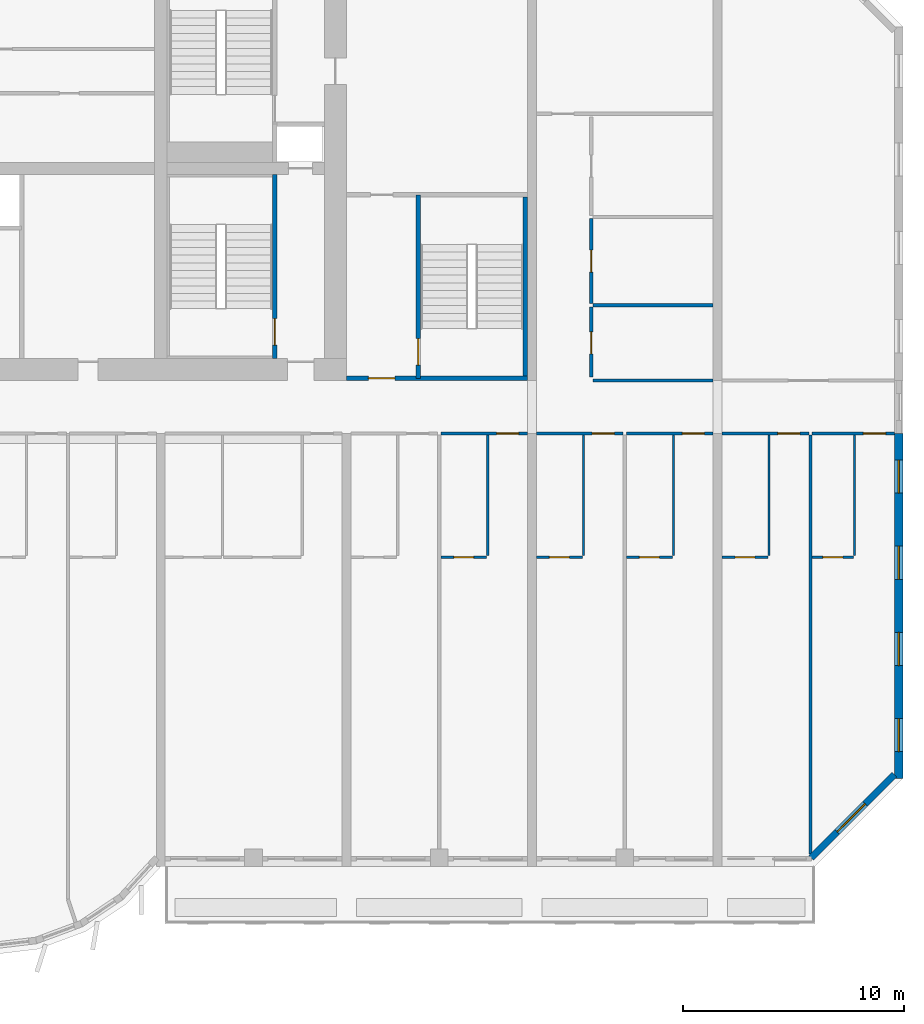
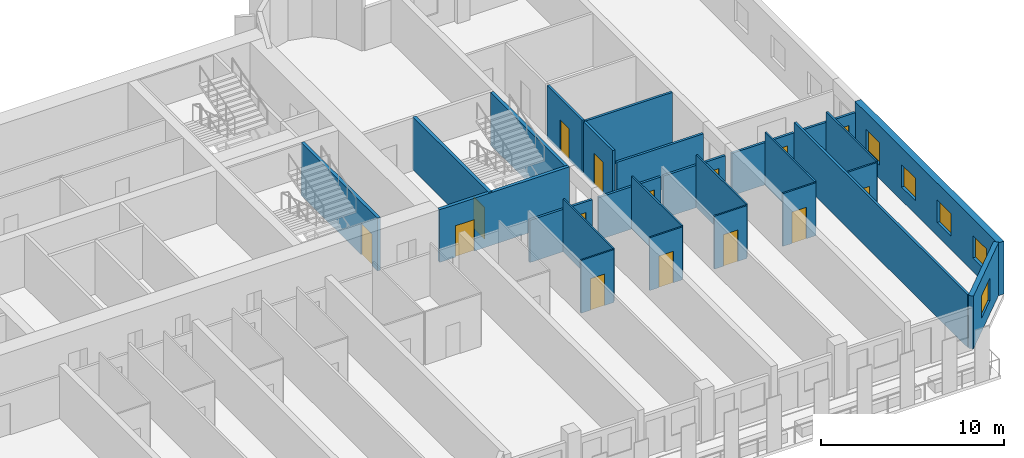
# One storey, part 9 of 14: 26 walls, 15 doors, 5 windows, 20 openings.
"""IFC4 building model written with IfcOpenShell, lengths in metres."""

from ifc_helpers import new_model, si_unit, direction, frame, frame_2d, origin, place, context, subcontext, project, spatial, rectangle, extrude, source, transform, mapped, material, layer, layer_set, type_object, element, fill, save


model = new_model("IFC4")

# Units and contexts
model_context = context("Model", 3, precision=1e-05, world=origin(), true_north=direction((0.0, 1.0)))
body_context = subcontext(model_context, "Body", "Model", "MODEL_VIEW")
ifc_project = project(units=[si_unit("LENGTHUNIT", "METRE"), si_unit("AREAUNIT", "SQUARE_METRE"), si_unit("VOLUMEUNIT", "CUBIC_METRE"), si_unit("PLANEANGLEUNIT", "RADIAN"), si_unit("MASSUNIT", "GRAM", prefix="KILO")], contexts=[model_context])

# Site, building, storey
site_placement = place(None, origin())
site = spatial("IfcSite", under=ifc_project, at=site_placement, CompositionType="ELEMENT")
building_placement = place(site_placement, origin())
building = spatial("IfcBuilding", under=site, at=building_placement, Name="Vanashikhar Sky Hotel", CompositionType="ELEMENT")
storey_placement = place(building_placement, frame((0.0, 0.0, 50.60009765625)))
storey = spatial("IfcBuildingStorey", under=building, at=storey_placement, Name="L11", CompositionType="ELEMENT", Elevation=50.60009765625)

# Wall, openings, windows
ifc_material_1 = material(Name="Concrete M80", Category="concrete")
ifc_layer_1 = layer(ifc_material_1, 0.39990234375)
ifc_layer_set_1 = layer_set([ifc_layer_1], Name="RC shear wall 400 Concrete M80")
wall_type_1 = type_object("IfcWallType", Name="RC shear wall 400 Concrete M80", PredefinedType="SHEAR", material=ifc_layer_set_1)
shared_shape_1 = source(origin(), body_context, "Body", "SweptSolid", [
    extrude(rectangle(XDim=15.60009765625, YDim=0.39990234375, at=frame_2d((7.800048828125, 0.0))), origin(), (0.0, 0.0, 1.0), 3.52001953125),
])
wall_1_placement = place(storey_placement, frame((100.60009765625, 4.0, 0.0), z_axis=(0.0, 0.0, 1.0), x_axis=(0.0, 1.0, 0.0)))
wall_1 = element("IfcWall", 1, at=wall_1_placement, inside=storey, type_object=wall_type_1, Name="CW-L11-XW13-1", PredefinedType="SHEAR", context=body_context, shape_type="MappedRepresentation", body=[
    mapped(shared_shape_1, transform((0.0, 0.0, 0.0), scale=1.0)),
])
shared_shape_2 = source(origin(), body_context, "Body", "SweptSolid", [
    extrude(rectangle(XDim=1.5, YDim=1.5, at=frame_2d((0.75, 0.75))), frame((0.0, 0.2099609375, 0.0), z_axis=(0.0, -1.0, 0.0), x_axis=(1.0, 0.0, 0.0)), (0.0, 0.0, 1.0), 0.419921875),
])
opening_1_placement = place(wall_1_placement, frame((1.199951171875, 0.0, 0.89990234375)))
opening_1 = element("IfcOpeningElement", 2, at=opening_1_placement, cuts=wall_1, Name="Opening WN-1", PredefinedType="OPENING", context=body_context, shape_type="MappedRepresentation", body=[
    mapped(shared_shape_2, transform((0.0, 0.0, 0.0), scale=1.0)),
])
opening_2_placement = place(wall_1_placement, frame((5.10009765625, 0.0, 0.89990234375)))
opening_2 = element("IfcOpeningElement", 3, at=opening_2_placement, cuts=wall_1, Name="Opening WN-1", PredefinedType="OPENING", context=body_context, shape_type="MappedRepresentation", body=[
    mapped(shared_shape_2, transform((0.0, 0.0, 0.0), scale=1.0)),
])
opening_3_placement = place(wall_1_placement, frame((9.0, 0.0, 0.89990234375)))
opening_3 = element("IfcOpeningElement", 4, at=opening_3_placement, cuts=wall_1, Name="Opening WN-1", PredefinedType="OPENING", context=body_context, shape_type="MappedRepresentation", body=[
    mapped(shared_shape_2, transform((0.0, 0.0, 0.0), scale=1.0)),
])
opening_4_placement = place(wall_1_placement, frame((12.89990234375, 0.0, 0.89990234375)))
opening_4 = element("IfcOpeningElement", 5, at=opening_4_placement, cuts=wall_1, Name="Opening WN-1", PredefinedType="OPENING", context=body_context, shape_type="MappedRepresentation", body=[
    mapped(shared_shape_2, transform((0.0, 0.0, 0.0), scale=1.0)),
])
ifc_material_2 = material(Name="Glass", Category="glass")
window_type_1 = type_object("IfcWindowType", Name="Window 1500 x 1500", PartitioningType="SINGLE_PANEL", PredefinedType="WINDOW", material=ifc_material_2)
shared_shape_3 = source(origin(), body_context, "Body", "SweptSolid", [
    extrude(rectangle(XDim=1.5, YDim=1.5, at=frame_2d((0.75, 0.75))), frame((0.0, 0.030029296875, 0.0), z_axis=(0.0, -1.0, 0.0), x_axis=(1.0, 0.0, 0.0)), (0.0, 0.0, 1.0), 0.06005859375),
])
window_1_placement = place(opening_1_placement, origin())
window_1 = element("IfcWindow", 6, at=window_1_placement, inside=storey, type_object=window_type_1, Name="Window WN-1", OverallHeight=1.5, OverallWidth=1.5, PartitioningType="SINGLE_PANEL", PredefinedType="WINDOW", context=body_context, shape_type="MappedRepresentation", body=[
    mapped(shared_shape_3, transform((0.0, 0.0, 0.0), scale=1.0)),
])
fill(opening_1, window_1)
window_2_placement = place(opening_2_placement, origin())
window_2 = element("IfcWindow", 7, at=window_2_placement, inside=storey, type_object=window_type_1, Name="Window WN-1", OverallHeight=1.5, OverallWidth=1.5, PartitioningType="SINGLE_PANEL", PredefinedType="WINDOW", context=body_context, shape_type="MappedRepresentation", body=[
    mapped(shared_shape_3, transform((0.0, 0.0, 0.0), scale=1.0)),
])
fill(opening_2, window_2)
window_3_placement = place(opening_3_placement, origin())
window_3 = element("IfcWindow", 8, at=window_3_placement, inside=storey, type_object=window_type_1, Name="Window WN-1", OverallHeight=1.5, OverallWidth=1.5, PartitioningType="SINGLE_PANEL", PredefinedType="WINDOW", context=body_context, shape_type="MappedRepresentation", body=[
    mapped(shared_shape_3, transform((0.0, 0.0, 0.0), scale=1.0)),
])
fill(opening_3, window_3)
window_4_placement = place(opening_4_placement, origin())
window_4 = element("IfcWindow", 9, at=window_4_placement, inside=storey, type_object=window_type_1, Name="Window WN-1", OverallHeight=1.5, OverallWidth=1.5, PartitioningType="SINGLE_PANEL", PredefinedType="WINDOW", context=body_context, shape_type="MappedRepresentation", body=[
    mapped(shared_shape_3, transform((0.0, 0.0, 0.0), scale=1.0)),
])
fill(opening_4, window_4)

# Wall, opening, window
ifc_material_3 = material(Name="Concrete M50", Category="concrete")
ifc_layer_2 = layer(ifc_material_3, 0.300048828125)
ifc_layer_set_2 = layer_set([ifc_layer_2], Name="Lobe wall 300")
wall_type_2 = type_object("IfcWallType", Name="Lobe wall 300", PredefinedType="SOLIDWALL", material=ifc_layer_set_2)
shared_shape_4 = source(origin(), body_context, "Body", "SweptSolid", [
    extrude(rectangle(XDim=5.32568359375, YDim=0.300048828125, at=frame_2d((2.662841796875, 0.0))), origin(), (0.0, 0.0, 1.0), 3.52001953125),
])
wall_2_placement = place(storey_placement, frame((96.63427734375, 0.39990234375, 0.0), z_axis=(0.0, 0.0, 1.0), x_axis=(0.707083859269, 0.707129702361, 0.0)))
wall_2 = element("IfcWall", 10, at=wall_2_placement, inside=storey, type_object=wall_type_2, Name="Corner wall", PredefinedType="SOLIDWALL", context=body_context, shape_type="MappedRepresentation", body=[
    mapped(shared_shape_4, transform((0.0, 0.0, 0.0), scale=1.0)),
])
shared_shape_5 = source(origin(), body_context, "Body", "SweptSolid", [
    extrude(rectangle(XDim=1.800048828125, YDim=1.5, at=frame_2d((0.89990234375, 0.75))), frame((0.0, 0.16015625, 0.0), z_axis=(0.0, -1.0, 0.0), x_axis=(1.0, 0.0, 0.0)), (0.0, 0.0, 1.0), 0.320068359375),
])
opening_5_placement = place(wall_2_placement, frame((1.654296875, 0.0, 0.89990234375)))
opening_5 = element("IfcOpeningElement", 11, at=opening_5_placement, cuts=wall_2, Name="Opening WN-4", PredefinedType="OPENING", context=body_context, shape_type="MappedRepresentation", body=[
    mapped(shared_shape_5, transform((0.0, 0.0, 0.0), scale=1.0)),
])
window_type_2 = type_object("IfcWindowType", Name="Corner window 1800 x 1500", PartitioningType="SINGLE_PANEL", PredefinedType="WINDOW", material=ifc_material_2)
shared_shape_6 = source(origin(), body_context, "Body", "SweptSolid", [
    extrude(rectangle(XDim=1.800048828125, YDim=1.5, at=frame_2d((0.89990234375, 0.75))), frame((0.0, 0.030029296875, 0.0), z_axis=(0.0, -1.0, 0.0), x_axis=(1.0, 0.0, 0.0)), (0.0, 0.0, 1.0), 0.06005859375),
])
window_5_placement = place(opening_5_placement, origin())
window_5 = element("IfcWindow", 12, at=window_5_placement, inside=storey, type_object=window_type_2, Name="Window WN-4", OverallHeight=1.5, OverallWidth=1.800048828125, PartitioningType="SINGLE_PANEL", PredefinedType="WINDOW", context=body_context, shape_type="MappedRepresentation", body=[
    mapped(shared_shape_6, transform((0.0, 0.0, 0.0), scale=1.0)),
])
fill(opening_5, window_5)

# Wall, opening, door
ifc_layer_3 = layer(ifc_material_3, 0.199951171875)
ifc_layer_set_3 = layer_set([ifc_layer_3], Name="Stair wall 200")
wall_type_3 = type_object("IfcWallType", Name="Stair wall 200", PredefinedType="SOLIDWALL", material=ifc_layer_set_3)
shared_shape_7 = source(origin(), body_context, "Body", "SweptSolid", [
    extrude(rectangle(XDim=8.199951171875, YDim=0.199951171875, at=frame_2d((4.10009765625, 0.0))), origin(), (0.0, 0.0, 1.0), 3.52001953125),
])
wall_3_placement = place(storey_placement, frame((83.800048828125, 22.10009765625, 0.0), z_axis=(0.0, 0.0, 1.0), x_axis=(-1.0, 0.0, 0.0)))
wall_3 = element("IfcWall", 13, at=wall_3_placement, inside=storey, type_object=wall_type_3, Name="Stair wall 200", PredefinedType="SOLIDWALL", context=body_context, shape_type="MappedRepresentation", body=[
    mapped(shared_shape_7, transform((0.0, 0.0, 0.0), scale=1.0)),
])
shared_shape_8 = source(origin(), body_context, "Body", "SweptSolid", [
    extrude(rectangle(XDim=1.199951171875, YDim=2.10009765625, at=frame_2d((0.60009765625, 1.050048828125))), frame((0.0, 0.10986328125, 0.0), z_axis=(0.0, -1.0, 0.0), x_axis=(1.0, 0.0, 0.0)), (0.0, 0.0, 1.0), 0.219970703125),
])
opening_6_placement = place(wall_3_placement, frame((6.0, 0.0, 0.0)))
opening_6 = element("IfcOpeningElement", 14, at=opening_6_placement, cuts=wall_3, Name="Opening DC-2", PredefinedType="OPENING", context=body_context, shape_type="MappedRepresentation", body=[
    mapped(shared_shape_8, transform((0.0, 0.0, 0.0), scale=1.0)),
])
ifc_material_4 = material(Name="Steel", Category="steel")
door_type_1 = type_object("IfcDoorType", Name="Firefighting lobby door 1200 FD120", OperationType="NOTDEFINED", PredefinedType="DOOR", material=ifc_material_4)
shared_shape_9 = source(origin(), body_context, "Body", "SweptSolid", [
    extrude(rectangle(XDim=1.199951171875, YDim=2.10009765625, at=frame_2d((0.60009765625, 1.050048828125))), frame((0.0, 0.02490234375, 0.0), z_axis=(0.0, -1.0, 0.0), x_axis=(1.0, 0.0, 0.0)), (0.0, 0.0, 1.0), 0.050048828125),
])
door_1_placement = place(opening_6_placement, origin())
door_1 = element("IfcDoor", 15, at=door_1_placement, inside=storey, type_object=door_type_1, Name="Firefighting lobby door 1200 FD120", OperationType="SINGLE_SWING_LEFT", OverallHeight=2.10009765625, OverallWidth=1.199951171875, PredefinedType="DOOR", context=body_context, shape_type="MappedRepresentation", body=[
    mapped(shared_shape_9, transform((0.0, 0.0, 0.0), scale=1.0)),
])
fill(opening_6, door_1)

shared_shape_10 = source(origin(), body_context, "Body", "SweptSolid", [
    extrude(rectangle(XDim=8.2998046875, YDim=0.199951171875, at=frame_2d((4.14990234375, 0.0))), origin(), (0.0, 0.0, 1.0), 3.52001953125),
])
wall_4_placement = place(storey_placement, frame((78.85009765625, 22.10009765625, 0.0), z_axis=(0.0, 0.0, 1.0), x_axis=(0.0, 1.0, 0.0)))
wall_4 = element("IfcWall", 16, at=wall_4_placement, inside=storey, type_object=wall_type_3, Name="Stair wall 200", PredefinedType="SOLIDWALL", context=body_context, shape_type="MappedRepresentation", body=[
    mapped(shared_shape_10, transform((0.0, 0.0, 0.0), scale=1.0)),
])
opening_7_placement = place(wall_4_placement, frame((0.60009765625, 0.0, 0.0)))
opening_7 = element("IfcOpeningElement", 17, at=opening_7_placement, cuts=wall_4, Name="Opening DC-1", PredefinedType="OPENING", context=body_context, shape_type="MappedRepresentation", body=[
    mapped(shared_shape_8, transform((0.0, 0.0, 0.0), scale=1.0)),
])
door_type_2 = type_object("IfcDoorType", Name="Stair door 1200 FD120", OperationType="NOTDEFINED", PredefinedType="DOOR", material=ifc_material_4)
door_2_placement = place(opening_7_placement, origin())
door_2 = element("IfcDoor", 18, at=door_2_placement, inside=storey, type_object=door_type_2, Name="Stair door 1200 FD120", OperationType="SINGLE_SWING_RIGHT", OverallHeight=2.10009765625, OverallWidth=1.199951171875, PredefinedType="DOOR", context=body_context, shape_type="MappedRepresentation", body=[
    mapped(shared_shape_9, transform((0.0, 0.0, 0.0), scale=1.0)),
])
fill(opening_7, door_2)

shared_shape_11 = source(origin(), body_context, "Body", "SweptSolid", [
    extrude(rectangle(XDim=8.324951171875, YDim=0.199951171875, at=frame_2d((4.16259765625, 0.0))), origin(), (0.0, 0.0, 1.0), 3.52001953125),
])
wall_5_placement = place(storey_placement, frame((72.35009765625, 23.0, 0.0), z_axis=(0.0, 0.0, 1.0), x_axis=(0.0, 1.0, 0.0)))
wall_5 = element("IfcWall", 19, at=wall_5_placement, inside=storey, type_object=wall_type_3, Name="Stair wall 200", PredefinedType="SOLIDWALL", context=body_context, shape_type="MappedRepresentation", body=[
    mapped(shared_shape_11, transform((0.0, 0.0, 0.0), scale=1.0)),
])
opening_8_placement = place(wall_5_placement, frame((0.60009765625, 0.0, 0.0)))
opening_8 = element("IfcOpeningElement", 20, at=opening_8_placement, cuts=wall_5, Name="Opening DC-1", PredefinedType="OPENING", context=body_context, shape_type="MappedRepresentation", body=[
    mapped(shared_shape_8, transform((0.0, 0.0, 0.0), scale=1.0)),
])
door_3_placement = place(opening_8_placement, origin())
door_3 = element("IfcDoor", 21, at=door_3_placement, inside=storey, type_object=door_type_2, Name="Stair door 1200 FD120", OperationType="SINGLE_SWING_LEFT", OverallHeight=2.10009765625, OverallWidth=1.199951171875, PredefinedType="DOOR", context=body_context, shape_type="MappedRepresentation", body=[
    mapped(shared_shape_9, transform((0.0, 0.0, 0.0), scale=1.0)),
])
fill(opening_8, door_3)

# Walls
ifc_layer_4 = layer(ifc_material_3, 0.199951171875)
ifc_layer_set_4 = layer_set([ifc_layer_4], Name="Stair infill wall 200")
wall_type_4 = type_object("IfcWallType", Name="Stair infill wall 200", PredefinedType="SOLIDWALL", material=ifc_layer_set_4)
shared_shape_12 = source(origin(), body_context, "Body", "SweptSolid", [
    extrude(rectangle(XDim=8.10009765625, YDim=0.199951171875, at=frame_2d((4.050048828125, 0.0))), origin(), (0.0, 0.0, 1.0), 3.52001953125),
])
wall_6_placement = place(storey_placement, frame((83.699951171875, 22.199951171875, 0.0), z_axis=(0.0, 0.0, 1.0), x_axis=(0.0, 1.0, 0.0)))
element("IfcWall", 22, at=wall_6_placement, inside=storey, type_object=wall_type_4, Name="Stair infill wall 200", PredefinedType="SOLIDWALL", context=body_context, shape_type="MappedRepresentation", body=[
    mapped(shared_shape_12, transform((0.0, 0.0, 0.0), scale=1.0)),
])
ifc_material_5 = material(Name="Gypsum plasterboard partition")
ifc_layer_5 = layer(ifc_material_5, 0.14990234375)
ifc_layer_set_5 = layer_set([ifc_layer_5], Name="Corridor and demising partition 150")
wall_type_5 = type_object("IfcWallType", Name="Corridor and demising partition 150", PredefinedType="PARTITIONING", material=ifc_layer_set_5)
shared_shape_13 = source(origin(), body_context, "Body", "SweptSolid", [
    extrude(rectangle(XDim=18.947021484375, YDim=0.14990234375, at=frame_2d((9.4736328125, 0.0))), origin(), (0.0, 0.0, 1.0), 3.52001953125),
])
wall_7_placement = place(storey_placement, frame((96.60009765625, 0.577880859375, 0.0), z_axis=(0.0, 0.0, 1.0), x_axis=(0.0, 1.0, 0.0)))
element("IfcWall", 23, at=wall_7_placement, inside=storey, type_object=wall_type_5, Name="W-L11-PW070", PredefinedType="PARTITIONING", context=body_context, shape_type="MappedRepresentation", body=[
    mapped(shared_shape_13, transform((0.0, 0.0, 0.0), scale=1.0)),
])

# Wall, opening, door
shared_shape_14 = source(origin(), body_context, "Body", "SweptSolid", [
    extrude(rectangle(XDim=3.175048828125, YDim=0.14990234375, at=frame_2d((1.58740234375, 0.0))), origin(), (0.0, 0.0, 1.0), 3.52001953125),
])
wall_8_placement = place(storey_placement, frame((86.675048828125, 22.14990234375, 0.0), z_axis=(0.0, 0.0, 1.0), x_axis=(0.0, 1.0, 0.0)))
wall_8 = element("IfcWall", 24, at=wall_8_placement, inside=storey, type_object=wall_type_5, Name="W-L11-PW086", PredefinedType="PARTITIONING", context=body_context, shape_type="MappedRepresentation", body=[
    mapped(shared_shape_14, transform((0.0, 0.0, 0.0), scale=1.0)),
])
shared_shape_15 = source(origin(), body_context, "Body", "SweptSolid", [
    extrude(rectangle(XDim=1.0, YDim=2.10009765625, at=frame_2d((0.5, 1.050048828125))), frame((0.0, 0.0849609375, 0.0), z_axis=(0.0, -1.0, 0.0), x_axis=(1.0, 0.0, 0.0)), (0.0, 0.0, 1.0), 0.169921875),
])
opening_9_placement = place(wall_8_placement, frame((1.050048828125, 0.0, 0.0)))
opening_9 = element("IfcOpeningElement", 25, at=opening_9_placement, cuts=wall_8, Name="Opening D-01", PredefinedType="OPENING", context=body_context, shape_type="MappedRepresentation", body=[
    mapped(shared_shape_15, transform((0.0, 0.0, 0.0), scale=1.0)),
])
ifc_material_6 = material(Name="Timber fire door", Category="wood")
door_type_3 = type_object("IfcDoorType", Name="Guest entry door 1000 FD30S", OperationType="NOTDEFINED", PredefinedType="DOOR", material=ifc_material_6)
shared_shape_16 = source(origin(), body_context, "Body", "SweptSolid", [
    extrude(rectangle(XDim=1.0, YDim=2.10009765625, at=frame_2d((0.5, 1.050048828125))), frame((0.0, 0.02490234375, 0.0), z_axis=(0.0, -1.0, 0.0), x_axis=(1.0, 0.0, 0.0)), (0.0, 0.0, 1.0), 0.050048828125),
])
door_4_placement = place(opening_9_placement, origin())
door_4 = element("IfcDoor", 26, at=door_4_placement, inside=storey, type_object=door_type_3, Name="D-L11-049", OperationType="SINGLE_SWING_LEFT", OverallHeight=2.10009765625, OverallWidth=1.0, PredefinedType="DOOR", context=body_context, shape_type="MappedRepresentation", body=[
    mapped(shared_shape_16, transform((0.0, 0.0, 0.0), scale=1.0)),
])
fill(opening_9, door_4)

shared_shape_17 = source(origin(), body_context, "Body", "SweptSolid", [
    extrude(rectangle(XDim=3.849853515625, YDim=0.14990234375, at=frame_2d((1.9248046875, 0.0))), origin(), (0.0, 0.0, 1.0), 3.52001953125),
])
wall_9_placement = place(storey_placement, frame((86.675048828125, 25.47509765625, 0.0), z_axis=(0.0, 0.0, 1.0), x_axis=(0.0, 1.0, 0.0)))
wall_9 = element("IfcWall", 27, at=wall_9_placement, inside=storey, type_object=wall_type_5, Name="W-L11-PW088", PredefinedType="PARTITIONING", context=body_context, shape_type="MappedRepresentation", body=[
    mapped(shared_shape_17, transform((0.0, 0.0, 0.0), scale=1.0)),
])
opening_10_placement = place(wall_9_placement, frame((1.425048828125, 0.0, 0.0)))
opening_10 = element("IfcOpeningElement", 28, at=opening_10_placement, cuts=wall_9, Name="Opening D-01", PredefinedType="OPENING", context=body_context, shape_type="MappedRepresentation", body=[
    mapped(shared_shape_15, transform((0.0, 0.0, 0.0), scale=1.0)),
])
door_5_placement = place(opening_10_placement, origin())
door_5 = element("IfcDoor", 29, at=door_5_placement, inside=storey, type_object=door_type_3, Name="D-L11-050", OperationType="SINGLE_SWING_LEFT", OverallHeight=2.10009765625, OverallWidth=1.0, PredefinedType="DOOR", context=body_context, shape_type="MappedRepresentation", body=[
    mapped(shared_shape_16, transform((0.0, 0.0, 0.0), scale=1.0)),
])
fill(opening_10, door_5)

ifc_layer_6 = layer(ifc_material_5, 0.10009765625)
ifc_layer_set_6 = layer_set([ifc_layer_6], Name="Wet room partition 100")
wall_type_6 = type_object("IfcWallType", Name="Wet room partition 100", PredefinedType="PARTITIONING", material=ifc_layer_set_6)
shared_shape_18 = source(origin(), body_context, "Body", "SweptSolid", [
    extrude(rectangle(XDim=2.074951171875, YDim=0.10009765625, at=frame_2d((1.03759765625, 0.0))), origin(), (0.0, 0.0, 1.0), 3.52001953125),
])
wall_10_placement = place(storey_placement, frame((79.875, 14.0, 0.0), z_axis=(0.0, 0.0, 1.0), x_axis=(1.0, 0.0, 0.0)))
wall_10 = element("IfcWall", 30, at=wall_10_placement, inside=storey, type_object=wall_type_6, Name="W-L11-PW054", PredefinedType="PARTITIONING", context=body_context, shape_type="MappedRepresentation", body=[
    mapped(shared_shape_18, transform((0.0, 0.0, 0.0), scale=1.0)),
])
shared_shape_19 = source(origin(), body_context, "Body", "SweptSolid", [
    extrude(rectangle(XDim=0.89990234375, YDim=2.10009765625, at=frame_2d((0.449951171875, 1.050048828125))), frame((0.0, 0.06005859375, 0.0), z_axis=(0.0, -1.0, 0.0), x_axis=(1.0, 0.0, 0.0)), (0.0, 0.0, 1.0), 0.1201171875),
])
opening_11_placement = place(wall_10_placement, frame((0.5869140625, 0.0, 0.0)))
opening_11 = element("IfcOpeningElement", 31, at=opening_11_placement, cuts=wall_10, Name="Opening D-02", PredefinedType="OPENING", context=body_context, shape_type="MappedRepresentation", body=[
    mapped(shared_shape_19, transform((0.0, 0.0, 0.0), scale=1.0)),
])
ifc_material_7 = material(Name="Timber door", Category="wood")
door_type_4 = type_object("IfcDoorType", Name="Internal door 900", OperationType="NOTDEFINED", PredefinedType="DOOR", material=ifc_material_7)
shared_shape_20 = source(origin(), body_context, "Body", "SweptSolid", [
    extrude(rectangle(XDim=0.89990234375, YDim=2.10009765625, at=frame_2d((0.449951171875, 1.050048828125))), frame((0.0, 0.02490234375, 0.0), z_axis=(0.0, -1.0, 0.0), x_axis=(1.0, 0.0, 0.0)), (0.0, 0.0, 1.0), 0.050048828125),
])
door_6_placement = place(opening_11_placement, origin())
door_6 = element("IfcDoor", 32, at=door_6_placement, inside=storey, type_object=door_type_4, Name="D-L11-032", OperationType="SINGLE_SWING_RIGHT", OverallHeight=2.10009765625, OverallWidth=0.89990234375, PredefinedType="DOOR", context=body_context, shape_type="MappedRepresentation", body=[
    mapped(shared_shape_20, transform((0.0, 0.0, 0.0), scale=1.0)),
])
fill(opening_11, door_6)

wall_11_placement = place(storey_placement, frame((84.199951171875, 14.0, 0.0), z_axis=(0.0, 0.0, 1.0), x_axis=(1.0, 0.0, 0.0)))
wall_11 = element("IfcWall", 33, at=wall_11_placement, inside=storey, type_object=wall_type_6, Name="W-L11-PW058", PredefinedType="PARTITIONING", context=body_context, shape_type="MappedRepresentation", body=[
    mapped(shared_shape_18, transform((0.0, 0.0, 0.0), scale=1.0)),
])
opening_12_placement = place(wall_11_placement, frame((0.587890625, 0.0, 0.0)))
opening_12 = element("IfcOpeningElement", 34, at=opening_12_placement, cuts=wall_11, Name="Opening D-02", PredefinedType="OPENING", context=body_context, shape_type="MappedRepresentation", body=[
    mapped(shared_shape_19, transform((0.0, 0.0, 0.0), scale=1.0)),
])
door_7_placement = place(opening_12_placement, origin())
door_7 = element("IfcDoor", 35, at=door_7_placement, inside=storey, type_object=door_type_4, Name="D-L11-034", OperationType="SINGLE_SWING_RIGHT", OverallHeight=2.10009765625, OverallWidth=0.89990234375, PredefinedType="DOOR", context=body_context, shape_type="MappedRepresentation", body=[
    mapped(shared_shape_20, transform((0.0, 0.0, 0.0), scale=1.0)),
])
fill(opening_12, door_7)

wall_12_placement = place(storey_placement, frame((92.60009765625, 14.0, 0.0), z_axis=(0.0, 0.0, 1.0), x_axis=(1.0, 0.0, 0.0)))
wall_12 = element("IfcWall", 36, at=wall_12_placement, inside=storey, type_object=wall_type_6, Name="W-L11-PW065", PredefinedType="PARTITIONING", context=body_context, shape_type="MappedRepresentation", body=[
    mapped(shared_shape_18, transform((0.0, 0.0, 0.0), scale=1.0)),
])
opening_13_placement = place(wall_12_placement, frame((0.5869140625, 0.0, 0.0)))
opening_13 = element("IfcOpeningElement", 37, at=opening_13_placement, cuts=wall_12, Name="Opening D-02", PredefinedType="OPENING", context=body_context, shape_type="MappedRepresentation", body=[
    mapped(shared_shape_19, transform((0.0, 0.0, 0.0), scale=1.0)),
])
door_8_placement = place(opening_13_placement, origin())
door_8 = element("IfcDoor", 38, at=door_8_placement, inside=storey, type_object=door_type_4, Name="D-L11-038", OperationType="SINGLE_SWING_RIGHT", OverallHeight=2.10009765625, OverallWidth=0.89990234375, PredefinedType="DOOR", context=body_context, shape_type="MappedRepresentation", body=[
    mapped(shared_shape_20, transform((0.0, 0.0, 0.0), scale=1.0)),
])
fill(opening_13, door_8)

# Wall
shared_shape_21 = source(origin(), body_context, "Body", "SweptSolid", [
    extrude(rectangle(XDim=5.449951171875, YDim=0.14990234375, at=frame_2d((2.72509765625, 0.0))), origin(), (0.0, 0.0, 1.0), 3.52001953125),
])
wall_13_placement = place(storey_placement, frame((86.75, 25.39990234375, 0.0), z_axis=(0.0, 0.0, 1.0), x_axis=(1.0, 0.0, 0.0)))
element("IfcWall", 39, at=wall_13_placement, inside=storey, type_object=wall_type_5, Name="W-L11-PW087", PredefinedType="PARTITIONING", context=body_context, shape_type="MappedRepresentation", body=[
    mapped(shared_shape_21, transform((0.0, 0.0, 0.0), scale=1.0)),
])

# Wall, opening, door
shared_shape_22 = source(origin(), body_context, "Body", "SweptSolid", [
    extrude(rectangle(XDim=1.875, YDim=0.10009765625, at=frame_2d((0.9375, 0.0))), origin(), (0.0, 0.0, 1.0), 3.52001953125),
])
wall_14_placement = place(storey_placement, frame((96.675048828125, 14.0, 0.0), z_axis=(0.0, 0.0, 1.0), x_axis=(1.0, 0.0, 0.0)))
wall_14 = element("IfcWall", 40, at=wall_14_placement, inside=storey, type_object=wall_type_6, Name="W-L11-PW068", PredefinedType="PARTITIONING", context=body_context, shape_type="MappedRepresentation", body=[
    mapped(shared_shape_22, transform((0.0, 0.0, 0.0), scale=1.0)),
])
opening_14_placement = place(wall_14_placement, frame((0.488037109375, 0.0, 0.0)))
opening_14 = element("IfcOpeningElement", 41, at=opening_14_placement, cuts=wall_14, Name="Opening D-02", PredefinedType="OPENING", context=body_context, shape_type="MappedRepresentation", body=[
    mapped(shared_shape_19, transform((0.0, 0.0, 0.0), scale=1.0)),
])
door_9_placement = place(opening_14_placement, origin())
door_9 = element("IfcDoor", 42, at=door_9_placement, inside=storey, type_object=door_type_4, Name="D-L11-040", OperationType="SINGLE_SWING_RIGHT", OverallHeight=2.10009765625, OverallWidth=0.89990234375, PredefinedType="DOOR", context=body_context, shape_type="MappedRepresentation", body=[
    mapped(shared_shape_20, transform((0.0, 0.0, 0.0), scale=1.0)),
])
fill(opening_14, door_9)

# Walls
shared_shape_23 = source(origin(), body_context, "Body", "SweptSolid", [
    extrude(rectangle(XDim=5.449951171875, YDim=0.10009765625, at=frame_2d((2.72509765625, 0.0))), origin(), (0.0, 0.0, 1.0), 3.52001953125),
])
for number, where, z_axis, x_axis, name in (
    (43, (82.0, 14.074951171875, 0.0), (0.0, 0.0, 1.0), (0.0, 1.0, 0.0), "W-L11-PW053"),
    (44, (86.324951171875, 14.074951171875, 0.0), (0.0, 0.0, 1.0), (0.0, 1.0, 0.0), "W-L11-PW057"),
    (45, (90.39990234375, 14.074951171875, 0.0), (0.0, 0.0, 1.0), (0.0, 1.0, 0.0), "W-L11-PW060"),
    (46, (94.72509765625, 14.074951171875, 0.0), (0.0, 0.0, 1.0), (0.0, 1.0, 0.0), "W-L11-PW064"),
    (47, (98.60009765625, 14.074951171875, 0.0), (0.0, 0.0, 1.0), (0.0, 1.0, 0.0), "W-L11-PW067"),
):
    element("IfcWall", number, at=place(storey_placement, frame(where, z_axis=z_axis, x_axis=x_axis)), inside=storey, type_object=wall_type_6, Name=name, PredefinedType="PARTITIONING", context=body_context, shape_type="MappedRepresentation", body=[
        mapped(shared_shape_23, transform((0.0, 0.0, 0.0), scale=1.0)),
    ])

# Wall, opening, door
shared_shape_24 = source(origin(), body_context, "Body", "SweptSolid", [
    extrude(rectangle(XDim=3.925048828125, YDim=0.14990234375, at=frame_2d((1.96240234375, 0.0))), origin(), (0.0, 0.0, 1.0), 2.81982421875),
])
wall_15_placement = place(storey_placement, frame((79.875, 19.60009765625, 0.0), z_axis=(0.0, 0.0, 1.0), x_axis=(1.0, 0.0, 0.0)))
wall_15 = element("IfcWall", 48, at=wall_15_placement, inside=storey, type_object=wall_type_5, Name="W-L11-PW055", PredefinedType="PARTITIONING", context=body_context, shape_type="MappedRepresentation", body=[
    mapped(shared_shape_24, transform((0.0, 0.0, 0.0), scale=1.0)),
])
opening_15_placement = place(wall_15_placement, frame((2.52490234375, 0.0, 0.0)))
opening_15 = element("IfcOpeningElement", 49, at=opening_15_placement, cuts=wall_15, Name="Opening D-01", PredefinedType="OPENING", context=body_context, shape_type="MappedRepresentation", body=[
    mapped(shared_shape_15, transform((0.0, 0.0, 0.0), scale=1.0)),
])
door_10_placement = place(opening_15_placement, origin())
door_10 = element("IfcDoor", 50, at=door_10_placement, inside=storey, type_object=door_type_3, Name="D-L11-033", OperationType="SINGLE_SWING_RIGHT", OverallHeight=2.10009765625, OverallWidth=1.0, PredefinedType="DOOR", context=body_context, shape_type="MappedRepresentation", body=[
    mapped(shared_shape_16, transform((0.0, 0.0, 0.0), scale=1.0)),
])
fill(opening_15, door_10)

wall_16_placement = place(storey_placement, frame((84.199951171875, 19.60009765625, 0.0), z_axis=(0.0, 0.0, 1.0), x_axis=(1.0, 0.0, 0.0)))
wall_16 = element("IfcWall", 51, at=wall_16_placement, inside=storey, type_object=wall_type_5, Name="W-L11-PW059", PredefinedType="PARTITIONING", context=body_context, shape_type="MappedRepresentation", body=[
    mapped(shared_shape_24, transform((0.0, 0.0, 0.0), scale=1.0)),
])
opening_16_placement = place(wall_16_placement, frame((2.52490234375, 0.0, 0.0)))
opening_16 = element("IfcOpeningElement", 52, at=opening_16_placement, cuts=wall_16, Name="Opening D-01", PredefinedType="OPENING", context=body_context, shape_type="MappedRepresentation", body=[
    mapped(shared_shape_15, transform((0.0, 0.0, 0.0), scale=1.0)),
])
door_11_placement = place(opening_16_placement, origin())
door_11 = element("IfcDoor", 53, at=door_11_placement, inside=storey, type_object=door_type_3, Name="D-L11-035", OperationType="SINGLE_SWING_RIGHT", OverallHeight=2.10009765625, OverallWidth=1.0, PredefinedType="DOOR", context=body_context, shape_type="MappedRepresentation", body=[
    mapped(shared_shape_16, transform((0.0, 0.0, 0.0), scale=1.0)),
])
fill(opening_16, door_11)

wall_17_placement = place(storey_placement, frame((88.27490234375, 19.60009765625, 0.0), z_axis=(0.0, 0.0, 1.0), x_axis=(1.0, 0.0, 0.0)))
wall_17 = element("IfcWall", 54, at=wall_17_placement, inside=storey, type_object=wall_type_5, Name="W-L11-PW062", PredefinedType="PARTITIONING", context=body_context, shape_type="MappedRepresentation", body=[
    mapped(shared_shape_24, transform((0.0, 0.0, 0.0), scale=1.0)),
])
opening_17_placement = place(wall_17_placement, frame((2.52490234375, 0.0, 0.0)))
opening_17 = element("IfcOpeningElement", 55, at=opening_17_placement, cuts=wall_17, Name="Opening D-01", PredefinedType="OPENING", context=body_context, shape_type="MappedRepresentation", body=[
    mapped(shared_shape_15, transform((0.0, 0.0, 0.0), scale=1.0)),
])
door_12_placement = place(opening_17_placement, origin())
door_12 = element("IfcDoor", 56, at=door_12_placement, inside=storey, type_object=door_type_3, Name="D-L11-037", OperationType="SINGLE_SWING_RIGHT", OverallHeight=2.10009765625, OverallWidth=1.0, PredefinedType="DOOR", context=body_context, shape_type="MappedRepresentation", body=[
    mapped(shared_shape_16, transform((0.0, 0.0, 0.0), scale=1.0)),
])
fill(opening_17, door_12)

shared_shape_25 = source(origin(), body_context, "Body", "SweptSolid", [
    extrude(rectangle(XDim=3.9248046875, YDim=0.14990234375, at=frame_2d((1.96240234375, 0.0))), origin(), (0.0, 0.0, 1.0), 2.81982421875),
])
wall_18_placement = place(storey_placement, frame((92.60009765625, 19.60009765625, 0.0), z_axis=(0.0, 0.0, 1.0), x_axis=(1.0, 0.0, 0.0)))
wall_18 = element("IfcWall", 57, at=wall_18_placement, inside=storey, type_object=wall_type_5, Name="W-L11-PW066", PredefinedType="PARTITIONING", context=body_context, shape_type="MappedRepresentation", body=[
    mapped(shared_shape_25, transform((0.0, 0.0, 0.0), scale=1.0)),
])
opening_18_placement = place(wall_18_placement, frame((2.52490234375, 0.0, 0.0)))
opening_18 = element("IfcOpeningElement", 58, at=opening_18_placement, cuts=wall_18, Name="Opening D-01", PredefinedType="OPENING", context=body_context, shape_type="MappedRepresentation", body=[
    mapped(shared_shape_15, transform((0.0, 0.0, 0.0), scale=1.0)),
])
door_13_placement = place(opening_18_placement, origin())
door_13 = element("IfcDoor", 59, at=door_13_placement, inside=storey, type_object=door_type_3, Name="D-L11-039", OperationType="SINGLE_SWING_RIGHT", OverallHeight=2.10009765625, OverallWidth=1.0, PredefinedType="DOOR", context=body_context, shape_type="MappedRepresentation", body=[
    mapped(shared_shape_16, transform((0.0, 0.0, 0.0), scale=1.0)),
])
fill(opening_18, door_13)

shared_shape_26 = source(origin(), body_context, "Body", "SweptSolid", [
    extrude(rectangle(XDim=2.0751953125, YDim=0.10009765625, at=frame_2d((1.03759765625, 0.0))), origin(), (0.0, 0.0, 1.0), 3.52001953125),
])
wall_19_placement = place(storey_placement, frame((88.27490234375, 14.0, 0.0), z_axis=(0.0, 0.0, 1.0), x_axis=(1.0, 0.0, 0.0)))
wall_19 = element("IfcWall", 60, at=wall_19_placement, inside=storey, type_object=wall_type_6, Name="W-L11-PW061", PredefinedType="PARTITIONING", context=body_context, shape_type="MappedRepresentation", body=[
    mapped(shared_shape_26, transform((0.0, 0.0, 0.0), scale=1.0)),
])
opening_19_placement = place(wall_19_placement, frame((0.5869140625, 0.0, 0.0)))
opening_19 = element("IfcOpeningElement", 61, at=opening_19_placement, cuts=wall_19, Name="Opening D-02", PredefinedType="OPENING", context=body_context, shape_type="MappedRepresentation", body=[
    mapped(shared_shape_19, transform((0.0, 0.0, 0.0), scale=1.0)),
])
door_14_placement = place(opening_19_placement, origin())
door_14 = element("IfcDoor", 62, at=door_14_placement, inside=storey, type_object=door_type_4, Name="D-L11-036", OperationType="SINGLE_SWING_RIGHT", OverallHeight=2.10009765625, OverallWidth=0.89990234375, PredefinedType="DOOR", context=body_context, shape_type="MappedRepresentation", body=[
    mapped(shared_shape_20, transform((0.0, 0.0, 0.0), scale=1.0)),
])
fill(opening_19, door_14)

shared_shape_27 = source(origin(), body_context, "Body", "SweptSolid", [
    extrude(rectangle(XDim=3.724853515625, YDim=0.14990234375, at=frame_2d((1.8623046875, 0.0))), origin(), (0.0, 0.0, 1.0), 2.81982421875),
])
wall_20_placement = place(storey_placement, frame((96.675048828125, 19.60009765625, 0.0), z_axis=(0.0, 0.0, 1.0), x_axis=(1.0, 0.0, 0.0)))
wall_20 = element("IfcWall", 63, at=wall_20_placement, inside=storey, type_object=wall_type_5, Name="W-L11-PW069", PredefinedType="PARTITIONING", context=body_context, shape_type="MappedRepresentation", body=[
    mapped(shared_shape_27, transform((0.0, 0.0, 0.0), scale=1.0)),
])
opening_20_placement = place(wall_20_placement, frame((2.324951171875, 0.0, 0.0)))
opening_20 = element("IfcOpeningElement", 64, at=opening_20_placement, cuts=wall_20, Name="Opening D-01", PredefinedType="OPENING", context=body_context, shape_type="MappedRepresentation", body=[
    mapped(shared_shape_15, transform((0.0, 0.0, 0.0), scale=1.0)),
])
door_15_placement = place(opening_20_placement, origin())
door_15 = element("IfcDoor", 65, at=door_15_placement, inside=storey, type_object=door_type_3, Name="D-L11-041", OperationType="SINGLE_SWING_RIGHT", OverallHeight=2.10009765625, OverallWidth=1.0, PredefinedType="DOOR", context=body_context, shape_type="MappedRepresentation", body=[
    mapped(shared_shape_16, transform((0.0, 0.0, 0.0), scale=1.0)),
])
fill(opening_20, door_15)

# Wall
shared_shape_28 = source(origin(), body_context, "Body", "SweptSolid", [
    extrude(rectangle(XDim=5.449951171875, YDim=0.14990234375, at=frame_2d((2.72509765625, 0.0))), origin(), (0.0, 0.0, 1.0), 2.81982421875),
])
wall_21_placement = place(storey_placement, frame((86.75, 22.0, 0.0), z_axis=(0.0, 0.0, 1.0), x_axis=(1.0, 0.0, 0.0)))
element("IfcWall", 66, at=wall_21_placement, inside=storey, type_object=wall_type_5, Name="W-L11-PW085", PredefinedType="PARTITIONING", context=body_context, shape_type="MappedRepresentation", body=[
    mapped(shared_shape_28, transform((0.0, 0.0, 0.0), scale=1.0)),
])

save(model, "model.ifc")
